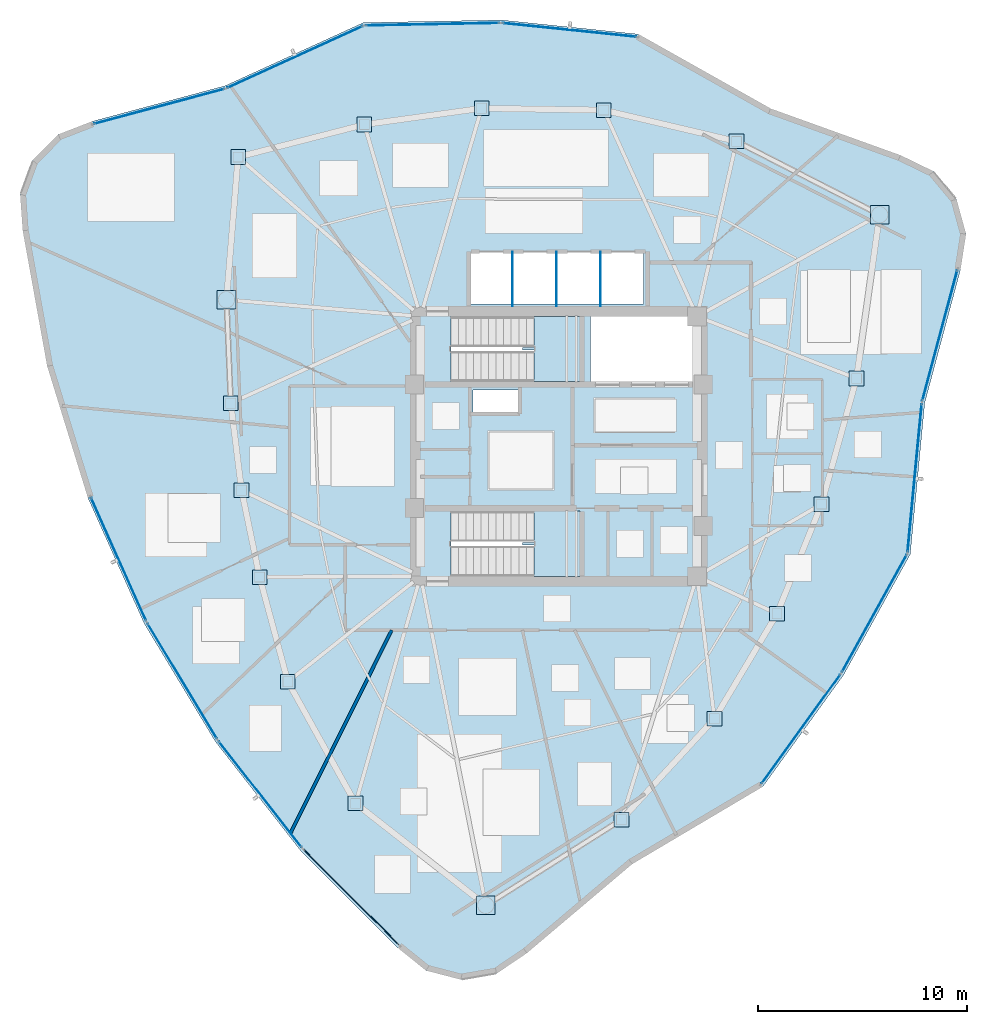
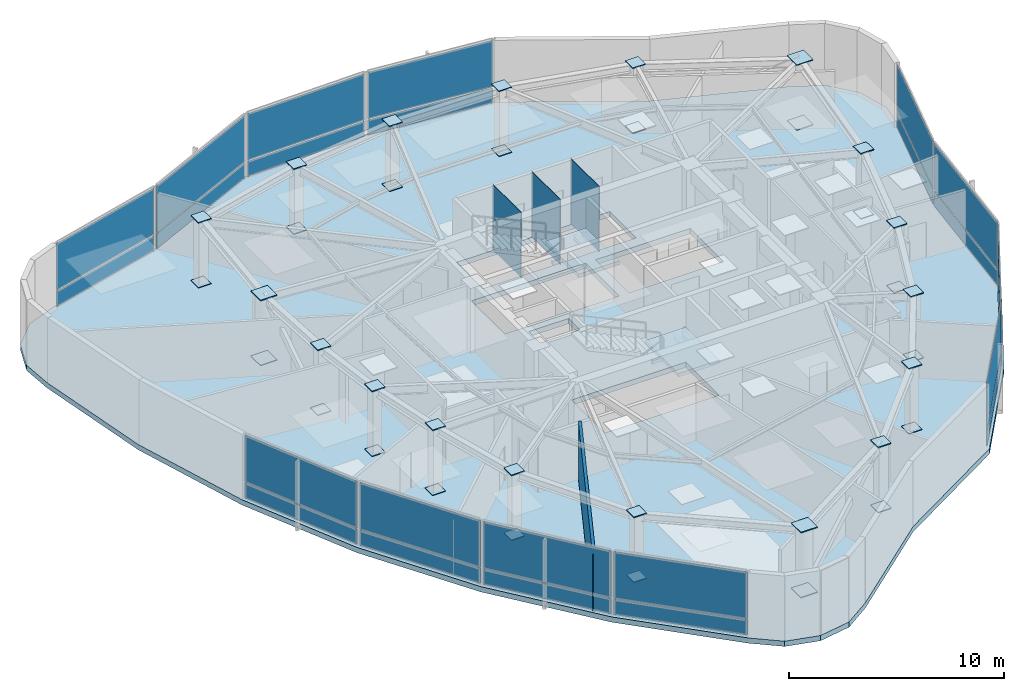
# One storey, part 7 of 12: 63 plates, 3 slabs, 1 wall, 14 elements without a shape of their own.
"""IFC4 building model written with IfcOpenShell, lengths in metres."""

from ifc_helpers import new_model, si_unit, direction, frame, frame_2d, origin, origin_2d, place, context, subcontext, project, spatial, polyline, rectangle, outline, extrude, source, transform, mapped, material, layer, layer_set, type_object, type_shapes, element, aggregate, save


model = new_model("IFC4")

# Units and contexts
model_context = context("Model", 3, precision=1e-05, world=origin(), true_north=direction((0.0, 1.0)))
body_context = subcontext(model_context, "Body", "Model", "MODEL_VIEW")
ifc_project = project(units=[si_unit("LENGTHUNIT", "METRE"), si_unit("AREAUNIT", "SQUARE_METRE"), si_unit("VOLUMEUNIT", "CUBIC_METRE"), si_unit("PLANEANGLEUNIT", "RADIAN"), si_unit("MASSUNIT", "GRAM", prefix="KILO")], contexts=[model_context])

# Site, building, storey
site_placement = place(None, origin())
site = spatial("IfcSite", under=ifc_project, at=site_placement, CompositionType="ELEMENT")
building_placement = place(site_placement, origin())
building = spatial("IfcBuilding", under=site, at=building_placement, Name="Tavelor Broadcast Tower", CompositionType="ELEMENT")
storey_placement = place(building_placement, frame((0.0, 0.0, 285.5)))
storey = spatial("IfcBuildingStorey", under=building, at=storey_placement, Name="L68", CompositionType="ELEMENT", Elevation=285.5)

# Stair, slab
ifc_material_1 = material(Name="Concrete C40/50", Category="concrete")
stair_type = type_object("IfcStairType", Name="Reinforced Concrete Protected Dogleg Stair 1450 mm", PredefinedType="HALF_TURN_STAIR", material=ifc_material_1)
stair_1_placement = place(storey_placement, origin())
stair_1 = element("IfcStair", 1, at=stair_1_placement, inside=storey, type_object=stair_type, Name="L68 Protected Core Exit Stair ST1", PredefinedType="HALF_TURN_STAIR")
ifc_layer_1 = layer(ifc_material_1, 0.199951171875)
ifc_layer_set_1 = layer_set([ifc_layer_1], Name="Concrete C40/50")
slab_type_1 = type_object("IfcSlabType", Name="Reinforced Concrete Stair Half-Landing Slab 200 mm", PredefinedType="LANDING", material=ifc_layer_set_1)
slab_1_placement = place(storey_placement, frame((0.0, 0.0, 1.800048828125)))
slab_1 = element("IfcSlab", 2, at=slab_1_placement, type_object=slab_type_1, Name="ST1 landing 1", PredefinedType="LANDING", context=body_context, shape_type="SweptSolid", body=[
    extrude(outline(polyline([(48.804931640625, 49.590087890625), (48.804931640625, 48.094970703125), (51.0048828125, 48.094970703125), (51.0048828125, 51.205078125), (48.804931640625, 51.205078125), (48.804931640625, 49.7099609375), (48.264892578125, 49.7099609375), (48.264892578125, 49.590087890625), (48.804931640625, 49.590087890625)])), origin(), (0.0, 0.0, 1.0), 0.199951171875),
])
aggregate(stair_1, [slab_1])

stair_2_placement = place(storey_placement, origin())
stair_2 = element("IfcStair", 3, at=stair_2_placement, inside=storey, type_object=stair_type, Name="L68 Protected Core Exit Stair ST2", PredefinedType="HALF_TURN_STAIR")
slab_2_placement = place(storey_placement, frame((0.0, 0.0, 1.800048828125)))
slab_2 = element("IfcSlab", 4, at=slab_2_placement, type_object=slab_type_1, Name="ST2 landing 1", PredefinedType="LANDING", context=body_context, shape_type="SweptSolid", body=[
    extrude(outline(polyline([(48.804931640625, 40.2900390625), (48.804931640625, 38.794921875), (51.0048828125, 38.794921875), (51.0048828125, 41.905029296875), (48.804931640625, 41.905029296875), (48.804931640625, 40.409912109375), (48.264892578125, 40.409912109375), (48.264892578125, 40.2900390625), (48.804931640625, 40.2900390625)])), origin(), (0.0, 0.0, 1.0), 0.199951171875),
])
aggregate(stair_2, [slab_2])

# Slab
ifc_layer_2 = layer(ifc_material_1, 0.300048828125)
ifc_layer_set_2 = layer_set([ifc_layer_2], Name="Concrete C40/50")
slab_type_2 = type_object("IfcSlabType", Name="Tower Composite Floor Slab 300 mm", PredefinedType="FLOOR", material=ifc_layer_set_2)
slab_3_placement = place(storey_placement, frame((0.0, 0.0, -0.300048828125)))
element("IfcSlab", 5, at=slab_3_placement, inside=storey, type_object=slab_type_2, Name="L68 Structural Floor Slab", PredefinedType="FLOOR", context=body_context, shape_type="SweptSolid", body=[
    extrude(outline(polyline([(27.708251953125, 60.51171875), (26.095458984375, 59.8876953125), (24.88232421875, 58.655517578125), (24.283935546875, 57.033203125), (24.406005859375, 55.30810546875), (25.57421875, 48.830810546875), (27.517822265625, 42.542236328125), (30.2080078125, 36.534912109375), (33.60546875, 30.897705078125), (37.659912109375, 25.712646484375), (42.312255859375, 21.056640625), (43.658935546875, 19.971923828125), (45.332763671875, 19.53759765625), (47.037109375, 19.830322265625), (48.4697265625, 20.798583984375), (53.495361328125, 25.049072265625), (59.74267578125, 28.751220703125), (63.60009765625, 34.084716796875), (66.783447265625, 39.845458984375), (67.473388671875, 47.07470703125), (69.179443359375, 53.431640625), (69.445556640625, 55.140380859375), (68.98486328125, 56.80712890625), (67.879150390625, 58.13671875), (66.32421875, 58.893310546875), (60.13037109375, 61.120361328125), (53.800537109375, 64.6796875), (47.253173828125, 65.353271484375), (40.672119140625, 65.229736328125), (34.066650390625, 62.212646484375), (27.708251953125, 60.51171875)]), holes=[polyline([(50.99609375, 41.89599609375), (50.99609375, 38.803955078125), (44.85400390625, 38.803955078125), (44.85400390625, 41.89599609375), (50.99609375, 41.89599609375)]), polyline([(48.050048828125, 47.699951171875), (48.050048828125, 46.64990234375), (45.89990234375, 46.64990234375), (45.89990234375, 47.699951171875), (48.050048828125, 47.699951171875)]), polyline([(50.99609375, 51.196044921875), (50.99609375, 48.10400390625), (44.85400390625, 48.10400390625), (44.85400390625, 51.196044921875), (50.99609375, 51.196044921875)]), polyline([(56.60009765625, 48.10009765625), (51.52001953125, 48.10009765625), (51.52001953125, 51.199951171875), (56.60009765625, 51.199951171875), (56.60009765625, 48.10009765625)]), polyline([(54.050048828125, 51.800048828125), (45.800048828125, 51.800048828125), (45.800048828125, 54.25), (54.050048828125, 54.25), (54.050048828125, 51.800048828125)])]), origin(), (0.0, 0.0, 1.0), 0.300048828125),
])

# Plates
ifc_material_2 = material(Name="Steel S460", Category="steel")
ifc_layer_3 = layer(ifc_material_2, 0.050048828125)
ifc_layer_set_3 = layer_set([ifc_layer_3], Name="Steel S460")
plate_type_1 = type_object("IfcPlateType", Name="Tube Hollow-End Cap Plate KN05 700x700x50", PredefinedType="USERDEFINED", material=ifc_layer_set_3)
shared_shape_1 = source(origin(), body_context, "Body", "SweptSolid", [
    extrude(rectangle(XDim=0.699951171875, YDim=0.699951171875, at=origin_2d()), origin(), (0.0, 0.0, 1.0), 0.054931640625),
])
for number, where, z_axis, x_axis, name in (
    (6, (34.341552734375, 47.061279296875, -0.02734375), (0.0, 0.0, 1.0), (1.0, 0.0, 0.0), "L68 Hollow End Cap Plate KN05 #2031"),
    (7, (34.341552734375, 47.061279296875, 3.67236328125), (0.0, 0.0, 1.0), (1.0, 0.0, 0.0), "L68 Hollow End Cap Plate KN05 #2032"),
    (8, (34.85400390625, 42.90185546875, -0.02734375), (0.0, 0.0, 1.0), (1.0, 0.0, 0.0), "L68 Hollow End Cap Plate KN05 #2033"),
    (9, (34.85400390625, 42.90185546875, 3.67236328125), (0.0, 0.0, 1.0), (1.0, 0.0, 0.0), "L68 Hollow End Cap Plate KN05 #2034"),
    (10, (35.716552734375, 38.757080078125, -0.02734375), (0.0, 0.0, 1.0), (1.0, 0.0, 0.0), "L68 Hollow End Cap Plate KN05 #2035"),
    (11, (35.716552734375, 38.757080078125, 3.67236328125), (0.0, 0.0, 1.0), (1.0, 0.0, 0.0), "L68 Hollow End Cap Plate KN05 #2036"),
    (12, (37.068115234375, 33.759521484375, -0.02734375), (0.0, 0.0, 1.0), (1.0, 0.0, 0.0), "L68 Hollow End Cap Plate KN05 #2037"),
    (13, (37.068115234375, 33.759521484375, 3.67236328125), (0.0, 0.0, 1.0), (1.0, 0.0, 0.0), "L68 Hollow End Cap Plate KN05 #2038"),
    (14, (40.29638671875, 27.95361328125, -0.02734375), (0.0, 0.0, 1.0), (1.0, 0.0, 0.0), "L68 Hollow End Cap Plate KN05 #2039"),
    (15, (40.29638671875, 27.95361328125, 3.67236328125), (0.0, 0.0, 1.0), (1.0, 0.0, 0.0), "L68 Hollow End Cap Plate KN05 #2040"),
    (16, (52.992919921875, 27.1767578125, -0.02734375), (0.0, 0.0, 1.0), (1.0, 0.0, 0.0), "L68 Hollow End Cap Plate KN05 #2043"),
    (17, (52.992919921875, 27.1767578125, 3.67236328125), (0.0, 0.0, 1.0), (1.0, 0.0, 0.0), "L68 Hollow End Cap Plate KN05 #2044"),
    (18, (57.431396484375, 31.9921875, -0.02734375), (0.0, 0.0, 1.0), (1.0, 0.0, 0.0), "L68 Hollow End Cap Plate KN05 #2045"),
    (19, (57.431396484375, 31.9921875, 3.67236328125), (0.0, 0.0, 1.0), (1.0, 0.0, 0.0), "L68 Hollow End Cap Plate KN05 #2046"),
    (20, (60.41748046875, 37.00439453125, -0.02734375), (0.0, 0.0, 1.0), (1.0, 0.0, 0.0), "L68 Hollow End Cap Plate KN05 #2047"),
    (21, (60.41748046875, 37.00439453125, 3.67236328125), (0.0, 0.0, 1.0), (1.0, 0.0, 0.0), "L68 Hollow End Cap Plate KN05 #2048"),
    (22, (62.543701171875, 42.240478515625, -0.02734375), (0.0, 0.0, 1.0), (1.0, 0.0, 0.0), "L68 Hollow End Cap Plate KN05 #2049"),
    (23, (62.543701171875, 42.240478515625, 3.67236328125), (0.0, 0.0, 1.0), (1.0, 0.0, 0.0), "L68 Hollow End Cap Plate KN05 #2050"),
    (24, (64.21435546875, 48.2373046875, -0.02734375), (0.0, 0.0, 1.0), (1.0, 0.0, 0.0), "L68 Hollow End Cap Plate KN05 #2051"),
    (25, (64.21435546875, 48.2373046875, 3.67236328125), (0.0, 0.0, 1.0), (1.0, 0.0, 0.0), "L68 Hollow End Cap Plate KN05 #2052"),
    (26, (58.485595703125, 59.55712890625, -0.02734375), (0.0, 0.0, 1.0), (1.0, 0.0, 0.0), "L68 Hollow End Cap Plate KN05 #2055"),
    (27, (58.485595703125, 59.55712890625, 3.67236328125), (0.0, 0.0, 1.0), (1.0, 0.0, 0.0), "L68 Hollow End Cap Plate KN05 #2056"),
    (28, (52.147216796875, 61.05078125, -0.02734375), (0.0, 0.0, 1.0), (1.0, 0.0, 0.0), "L68 Hollow End Cap Plate KN05 #2057"),
    (29, (52.147216796875, 61.05078125, 3.67236328125), (0.0, 0.0, 1.0), (1.0, 0.0, 0.0), "L68 Hollow End Cap Plate KN05 #2058"),
    (30, (46.3154296875, 61.13720703125, -0.02734375), (0.0, 0.0, 1.0), (1.0, 0.0, 0.0), "L68 Hollow End Cap Plate KN05 #2059"),
    (31, (46.3154296875, 61.13720703125, 3.67236328125), (0.0, 0.0, 1.0), (1.0, 0.0, 0.0), "L68 Hollow End Cap Plate KN05 #2060"),
    (32, (40.718017578125, 60.36083984375, -0.02734375), (0.0, 0.0, 1.0), (1.0, 0.0, 0.0), "L68 Hollow End Cap Plate KN05 #2061"),
    (33, (40.718017578125, 60.36083984375, 3.67236328125), (0.0, 0.0, 1.0), (1.0, 0.0, 0.0), "L68 Hollow End Cap Plate KN05 #2062"),
    (34, (34.689208984375, 58.80908203125, -0.02734375), (0.0, 0.0, 1.0), (1.0, 0.0, 0.0), "L68 Hollow End Cap Plate KN05 #2063"),
    (35, (34.689208984375, 58.80908203125, 3.67236328125), (0.0, 0.0, 1.0), (1.0, 0.0, 0.0), "L68 Hollow End Cap Plate KN05 #2064"),
):
    element("IfcPlate", number, at=place(storey_placement, frame(where, z_axis=z_axis, x_axis=x_axis)), inside=storey, type_object=plate_type_1, Name=name, ObjectType="CAP PLATE", PredefinedType="USERDEFINED", context=body_context, shape_type="MappedRepresentation", body=[
        mapped(shared_shape_1, transform((0.0, 0.0, 0.0), scale=1.0)),
    ])
shared_shape_2 = source(origin(), body_context, "Body", "SweptSolid", [
    extrude(rectangle(XDim=0.89306640625, YDim=0.89306640625, at=origin_2d()), origin(), (0.0, 0.0, 1.0), 0.054931640625),
])
type_shapes(plate_type_1, [shared_shape_1, shared_shape_2])
for number, where, z_axis, x_axis, name in (
    (36, (34.134765625, 51.995849609375, -0.02734375), (0.0, 0.0, 1.0), (1.0, 0.0, 0.0), "L68 Hollow End Cap Plate KN05 #2029"),
    (37, (34.134765625, 51.995849609375, 3.67236328125), (0.0, 0.0, 1.0), (1.0, 0.0, 0.0), "L68 Hollow End Cap Plate KN05 #2030"),
    (38, (46.5146484375, 23.08740234375, -0.02734375), (0.0, 0.0, 1.0), (1.0, 0.0, 0.0), "L68 Hollow End Cap Plate KN05 #2041"),
    (39, (46.5146484375, 23.08740234375, 3.67236328125), (0.0, 0.0, 1.0), (1.0, 0.0, 0.0), "L68 Hollow End Cap Plate KN05 #2042"),
    (40, (65.319580078125, 56.0556640625, -0.02734375), (0.0, 0.0, 1.0), (1.0, 0.0, 0.0), "L68 Hollow End Cap Plate KN05 #2053"),
    (41, (65.319580078125, 56.0556640625, 3.67236328125), (0.0, 0.0, 1.0), (1.0, 0.0, 0.0), "L68 Hollow End Cap Plate KN05 #2054"),
):
    element("IfcPlate", number, at=place(storey_placement, frame(where, z_axis=z_axis, x_axis=x_axis)), inside=storey, type_object=plate_type_1, Name=name, ObjectType="CAP PLATE", PredefinedType="USERDEFINED", context=body_context, shape_type="MappedRepresentation", body=[
        mapped(shared_shape_2, transform((0.0, 0.0, 0.0), scale=1.0)),
    ])
ifc_material_3 = material(Name="Steel S355", Category="steel")
ifc_layer_4 = layer(ifc_material_3, 0.011962890625)
ifc_layer_set_4 = layer_set([ifc_layer_4], Name="Steel S355")
plate_type_2 = type_object("IfcPlateType", Name="Hoistway Steel Separator Screen 12 mm", PredefinedType="SHEET", material=ifc_layer_set_4)
shared_shape_3 = source(origin(), body_context, "Body", "SweptSolid", [
    extrude(rectangle(XDim=0.02001953125, YDim=2.6201171875, at=origin_2d()), origin(), (0.0, 0.0, 1.0), 3.699951171875),
])
type_shapes(plate_type_2, [shared_shape_3])
for number, where, z_axis, x_axis, name in (
    (42, (47.800048828125, 52.989990234375, 0.0), (0.0, 0.0, 1.0), (1.0, 0.0, 0.0), "L68 High-Rise Hoistway Separator Screen 1"),
    (43, (49.89990234375, 52.989990234375, 0.0), (0.0, 0.0, 1.0), (1.0, 0.0, 0.0), "L68 High-Rise Hoistway Separator Screen 2"),
    (44, (52.0, 52.989990234375, 0.0), (0.0, 0.0, 1.0), (1.0, 0.0, 0.0), "L68 High-Rise Hoistway Separator Screen 3"),
):
    element("IfcPlate", number, at=place(storey_placement, frame(where, z_axis=z_axis, x_axis=x_axis)), inside=storey, type_object=plate_type_2, Name=name, PredefinedType="SHEET", context=body_context, shape_type="MappedRepresentation", body=[
        mapped(shared_shape_3, transform((0.0, 0.0, 0.0), scale=1.0)),
    ])

# Curtain wall, plates
ifc_material_4 = material(Name="Architectural Anodized Aluminium", Category="aluminium")
ifc_layer_5 = layer(ifc_material_4, 0.199951171875)
ifc_layer_set_5 = layer_set([ifc_layer_5], Name="Architectural Anodized Aluminium")
curtain_wall_type = type_object("IfcCurtainWallType", Name="Tower High-Zone Triple-Glazed Curtain Wall CW04", PredefinedType="NOTDEFINED", material=ifc_layer_set_5)
curtain_wall_1_placement = place(storey_placement, origin())
curtain_wall_1 = element("IfcCurtainWall", 45, at=curtain_wall_1_placement, inside=storey, type_object=curtain_wall_type, Name="L68 Curtain Wall CW04 Run 745", PredefinedType="NOTDEFINED")
ifc_material_5 = material(Name="High-Altitude Triple Glazing 36 mm", Category="glass")
ifc_layer_6 = layer(ifc_material_5, 0.035888671875)
ifc_layer_set_6 = layer_set([ifc_layer_6], Name="High-Altitude Triple Glazing 36 mm")
plate_type_3 = type_object("IfcPlateType", Name="CW04 Insulated Vision Glazing Panel 36 mm", PredefinedType="CURTAIN_PANEL", material=ifc_layer_set_6)
shared_shape_4 = source(origin(), body_context, "Body", "SweptSolid", [
    extrude(rectangle(XDim=6.41015625, YDim=0.035888671875, at=origin_2d()), origin(), (0.0, 0.0, 1.0), 0.844970703125),
])
plate_1_placement = place(storey_placement, frame((28.987548828125, 39.602783203125, 0.06982421875), z_axis=(0.0, 0.0, 1.0), x_axis=(0.40872623265, -0.912657036758, 0.0)))
plate_1 = element("IfcPlate", 46, at=plate_1_placement, type_object=plate_type_3, Name="CW04 panel 1.1", PredefinedType="CURTAIN_PANEL", context=body_context, shape_type="MappedRepresentation", body=[
    mapped(shared_shape_4, transform((0.0, 0.0, 0.0), scale=1.0)),
])
shared_shape_5 = source(origin(), body_context, "Body", "SweptSolid", [
    extrude(rectangle(XDim=6.41015625, YDim=0.035888671875, at=origin_2d()), origin(), (0.0, 0.0, 1.0), 2.64501953125),
])
plate_2_placement = place(storey_placement, frame((28.987548828125, 39.602783203125, 0.985107421875), z_axis=(0.0, 0.0, 1.0), x_axis=(0.40872623265, -0.912657036758, 0.0)))
plate_2 = element("IfcPlate", 47, at=plate_2_placement, type_object=plate_type_3, Name="CW04 panel 1.2", PredefinedType="CURTAIN_PANEL", context=body_context, shape_type="MappedRepresentation", body=[
    mapped(shared_shape_5, transform((0.0, 0.0, 0.0), scale=1.0)),
])
aggregate(curtain_wall_1, [plate_1, plate_2])

# Curtain wall, plate
curtain_wall_2_placement = place(storey_placement, origin())
curtain_wall_2 = element("IfcCurtainWall", 48, at=curtain_wall_2_placement, inside=storey, type_object=curtain_wall_type, Name="L68 Curtain Wall CW04 Run 746", PredefinedType="NOTDEFINED")
shared_shape_6 = source(origin(), body_context, "Body", "SweptSolid", [
    extrude(rectangle(XDim=6.39501953125, YDim=0.035888671875, at=origin_2d()), origin(), (0.0, 0.0, 1.0), 0.844970703125),
])
plate_3_placement = place(storey_placement, frame((32.026611328125, 33.78857421875, 0.06982421875), z_axis=(0.0, 0.0, 1.0), x_axis=(0.516175764861, -0.8564826792, 0.0)))
plate_3 = element("IfcPlate", 49, at=plate_3_placement, type_object=plate_type_3, Name="CW04 panel 1.1", PredefinedType="CURTAIN_PANEL", context=body_context, shape_type="MappedRepresentation", body=[
    mapped(shared_shape_6, transform((0.0, 0.0, 0.0), scale=1.0)),
])

curtain_wall_3_placement = place(storey_placement, origin())
curtain_wall_3 = element("IfcCurtainWall", 50, at=curtain_wall_3_placement, inside=storey, type_object=curtain_wall_type, Name="L68 Curtain Wall CW04 Run 747", PredefinedType="NOTDEFINED")
plate_4_placement = place(storey_placement, frame((35.742919921875, 28.391357421875, 0.06982421875), z_axis=(0.0, 0.0, 1.0), x_axis=(0.616012790784, -0.78773614973, 0.0)))
plate_4 = element("IfcPlate", 51, at=plate_4_placement, type_object=plate_type_3, Name="CW04 panel 1.1", PredefinedType="CURTAIN_PANEL", context=body_context, shape_type="MappedRepresentation", body=[
    mapped(shared_shape_6, transform((0.0, 0.0, 0.0), scale=1.0)),
])

# Plate
shared_shape_7 = source(origin(), body_context, "Body", "SweptSolid", [
    extrude(rectangle(XDim=6.39501953125, YDim=0.035888671875, at=origin_2d()), origin(), (0.0, 0.0, 1.0), 2.64501953125),
])
plate_5_placement = place(storey_placement, frame((32.026611328125, 33.78857421875, 0.985107421875), z_axis=(0.0, 0.0, 1.0), x_axis=(0.516175764861, -0.8564826792, 0.0)))
plate_5 = element("IfcPlate", 52, at=plate_5_placement, type_object=plate_type_3, Name="CW04 panel 1.2", PredefinedType="CURTAIN_PANEL", context=body_context, shape_type="MappedRepresentation", body=[
    mapped(shared_shape_7, transform((0.0, 0.0, 0.0), scale=1.0)),
])

aggregate(curtain_wall_2, [plate_3, plate_5])

plate_6_placement = place(storey_placement, frame((35.742919921875, 28.391357421875, 0.985107421875), z_axis=(0.0, 0.0, 1.0), x_axis=(0.616012790784, -0.78773614973, 0.0)))
plate_6 = element("IfcPlate", 53, at=plate_6_placement, type_object=plate_type_3, Name="CW04 panel 1.2", PredefinedType="CURTAIN_PANEL", context=body_context, shape_type="MappedRepresentation", body=[
    mapped(shared_shape_7, transform((0.0, 0.0, 0.0), scale=1.0)),
])

aggregate(curtain_wall_3, [plate_4, plate_6])

# Curtain wall, plates
curtain_wall_4_placement = place(storey_placement, origin())
curtain_wall_4 = element("IfcCurtainWall", 54, at=curtain_wall_4_placement, inside=storey, type_object=curtain_wall_type, Name="L68 Curtain Wall CW04 Run 748", PredefinedType="NOTDEFINED")
shared_shape_8 = source(origin(), body_context, "Body", "SweptSolid", [
    extrude(rectangle(XDim=6.410888671875, YDim=0.035888671875, at=origin_2d()), origin(), (0.0, 0.0, 1.0), 0.844970703125),
])
plate_7_placement = place(storey_placement, frame((40.0908203125, 23.47802734375, 0.06982421875), z_axis=(0.0, 0.0, 1.0), x_axis=(0.706824324784, -0.707389124806, 0.0)))
plate_7 = element("IfcPlate", 55, at=plate_7_placement, type_object=plate_type_3, Name="CW04 panel 1.1", PredefinedType="CURTAIN_PANEL", context=body_context, shape_type="MappedRepresentation", body=[
    mapped(shared_shape_8, transform((0.0, 0.0, 0.0), scale=1.0)),
])
shared_shape_9 = source(origin(), body_context, "Body", "SweptSolid", [
    extrude(rectangle(XDim=6.410888671875, YDim=0.035888671875, at=origin_2d()), origin(), (0.0, 0.0, 1.0), 2.64501953125),
])
plate_8_placement = place(storey_placement, frame((40.0908203125, 23.47802734375, 0.985107421875), z_axis=(0.0, 0.0, 1.0), x_axis=(0.706824324784, -0.707389124806, 0.0)))
plate_8 = element("IfcPlate", 56, at=plate_8_placement, type_object=plate_type_3, Name="CW04 panel 1.2", PredefinedType="CURTAIN_PANEL", context=body_context, shape_type="MappedRepresentation", body=[
    mapped(shared_shape_9, transform((0.0, 0.0, 0.0), scale=1.0)),
])
aggregate(curtain_wall_4, [plate_7, plate_8])

# Curtain wall, plate
curtain_wall_5_placement = place(storey_placement, origin())
curtain_wall_5 = element("IfcCurtainWall", 57, at=curtain_wall_5_placement, inside=storey, type_object=curtain_wall_type, Name="L68 Curtain Wall CW04 Run 749", PredefinedType="NOTDEFINED")
shared_shape_10 = source(origin(), body_context, "Body", "SweptSolid", [
    extrude(rectangle(XDim=6.389404296875, YDim=0.035888671875, at=origin_2d()), origin(), (0.0, 0.0, 1.0), 0.844970703125),
])
plate_9_placement = place(storey_placement, frame((61.5595703125, 31.502197265625, 0.06982421875), z_axis=(0.0, 0.0, 1.0), x_axis=(0.586030582447, 0.810288933923, 0.0)))
plate_9 = element("IfcPlate", 58, at=plate_9_placement, type_object=plate_type_3, Name="CW04 panel 1.1", PredefinedType="CURTAIN_PANEL", context=body_context, shape_type="MappedRepresentation", body=[
    mapped(shared_shape_10, transform((0.0, 0.0, 0.0), scale=1.0)),
])

curtain_wall_6_placement = place(storey_placement, origin())
curtain_wall_6 = element("IfcCurtainWall", 59, at=curtain_wall_6_placement, inside=storey, type_object=curtain_wall_type, Name="L68 Curtain Wall CW04 Run 753", PredefinedType="NOTDEFINED")
plate_10_placement = place(storey_placement, frame((50.509765625, 64.87744140625, 0.06982421875), z_axis=(0.0, 0.0, 1.0), x_axis=(-0.994748184384, 0.102352575269, 0.0)))
plate_10 = element("IfcPlate", 60, at=plate_10_placement, type_object=plate_type_3, Name="CW04 panel 1.1", PredefinedType="CURTAIN_PANEL", context=body_context, shape_type="MappedRepresentation", body=[
    mapped(shared_shape_10, transform((0.0, 0.0, 0.0), scale=1.0)),
])

# Plate
shared_shape_11 = source(origin(), body_context, "Body", "SweptSolid", [
    extrude(rectangle(XDim=6.389404296875, YDim=0.035888671875, at=origin_2d()), origin(), (0.0, 0.0, 1.0), 2.64501953125),
])
plate_11_placement = place(storey_placement, frame((61.5595703125, 31.502197265625, 0.985107421875), z_axis=(0.0, 0.0, 1.0), x_axis=(0.586030582447, 0.810288933923, 0.0)))
plate_11 = element("IfcPlate", 61, at=plate_11_placement, type_object=plate_type_3, Name="CW04 panel 1.2", PredefinedType="CURTAIN_PANEL", context=body_context, shape_type="MappedRepresentation", body=[
    mapped(shared_shape_11, transform((0.0, 0.0, 0.0), scale=1.0)),
])

aggregate(curtain_wall_5, [plate_9, plate_11])

plate_12_placement = place(storey_placement, frame((50.509765625, 64.87744140625, 0.985107421875), z_axis=(0.0, 0.0, 1.0), x_axis=(-0.994748184384, 0.102352575269, 0.0)))
plate_12 = element("IfcPlate", 62, at=plate_12_placement, type_object=plate_type_3, Name="CW04 panel 1.2", PredefinedType="CURTAIN_PANEL", context=body_context, shape_type="MappedRepresentation", body=[
    mapped(shared_shape_11, transform((0.0, 0.0, 0.0), scale=1.0)),
])

aggregate(curtain_wall_6, [plate_10, plate_12])

# Curtain wall, plates
curtain_wall_7_placement = place(storey_placement, origin())
curtain_wall_7 = element("IfcCurtainWall", 63, at=curtain_wall_7_placement, inside=storey, type_object=curtain_wall_type, Name="L68 Curtain Wall CW04 Run 750", PredefinedType="NOTDEFINED")
shared_shape_12 = source(origin(), body_context, "Body", "SweptSolid", [
    extrude(rectangle(XDim=6.374267578125, YDim=0.035888671875, at=origin_2d()), origin(), (0.0, 0.0, 1.0), 0.844970703125),
])
plate_13_placement = place(storey_placement, frame((65.064208984375, 37.023681640625, 0.06982421875), z_axis=(0.0, 0.0, 1.0), x_axis=(0.483657950642, 0.875257097532, 0.0)))
plate_13 = element("IfcPlate", 64, at=plate_13_placement, type_object=plate_type_3, Name="CW04 panel 1.1", PredefinedType="CURTAIN_PANEL", context=body_context, shape_type="MappedRepresentation", body=[
    mapped(shared_shape_12, transform((0.0, 0.0, 0.0), scale=1.0)),
])
shared_shape_13 = source(origin(), body_context, "Body", "SweptSolid", [
    extrude(rectangle(XDim=6.374267578125, YDim=0.035888671875, at=origin_2d()), origin(), (0.0, 0.0, 1.0), 2.64501953125),
])
plate_14_placement = place(storey_placement, frame((65.064208984375, 37.023681640625, 0.985107421875), z_axis=(0.0, 0.0, 1.0), x_axis=(0.483657950642, 0.875257097532, 0.0)))
plate_14 = element("IfcPlate", 65, at=plate_14_placement, type_object=plate_type_3, Name="CW04 panel 1.2", PredefinedType="CURTAIN_PANEL", context=body_context, shape_type="MappedRepresentation", body=[
    mapped(shared_shape_13, transform((0.0, 0.0, 0.0), scale=1.0)),
])
aggregate(curtain_wall_7, [plate_13, plate_14])

curtain_wall_8_placement = place(storey_placement, origin())
curtain_wall_8 = element("IfcCurtainWall", 66, at=curtain_wall_8_placement, inside=storey, type_object=curtain_wall_type, Name="L68 Curtain Wall CW04 Run 751", PredefinedType="NOTDEFINED")
shared_shape_14 = source(origin(), body_context, "Body", "SweptSolid", [
    extrude(rectangle(XDim=7.074462890625, YDim=0.035888671875, at=origin_2d()), origin(), (0.0, 0.0, 1.0), 0.844970703125),
])
plate_15_placement = place(storey_placement, frame((66.990966796875, 43.49365234375, 0.06982421875), z_axis=(0.0, 0.0, 1.0), x_axis=(0.09500270756, 0.995477014077, 0.0)))
plate_15 = element("IfcPlate", 67, at=plate_15_placement, type_object=plate_type_3, Name="CW04 panel 1.1", PredefinedType="CURTAIN_PANEL", context=body_context, shape_type="MappedRepresentation", body=[
    mapped(shared_shape_14, transform((0.0, 0.0, 0.0), scale=1.0)),
])
shared_shape_15 = source(origin(), body_context, "Body", "SweptSolid", [
    extrude(rectangle(XDim=7.074462890625, YDim=0.035888671875, at=origin_2d()), origin(), (0.0, 0.0, 1.0), 2.64501953125),
])
plate_16_placement = place(storey_placement, frame((66.990966796875, 43.49365234375, 0.985107421875), z_axis=(0.0, 0.0, 1.0), x_axis=(0.09500270756, 0.995477014077, 0.0)))
plate_16 = element("IfcPlate", 68, at=plate_16_placement, type_object=plate_type_3, Name="CW04 panel 1.2", PredefinedType="CURTAIN_PANEL", context=body_context, shape_type="MappedRepresentation", body=[
    mapped(shared_shape_15, transform((0.0, 0.0, 0.0), scale=1.0)),
])
aggregate(curtain_wall_8, [plate_15, plate_16])

# Curtain wall, plate
curtain_wall_9_placement = place(storey_placement, origin())
curtain_wall_9 = element("IfcCurtainWall", 69, at=curtain_wall_9_placement, inside=storey, type_object=curtain_wall_type, Name="L68 Curtain Wall CW04 Run 752", PredefinedType="NOTDEFINED")
shared_shape_16 = source(origin(), body_context, "Body", "SweptSolid", [
    extrude(rectangle(XDim=6.43115234375, YDim=0.035888671875, at=origin_2d()), origin(), (0.0, 0.0, 1.0), 0.844970703125),
])
plate_17_placement = place(storey_placement, frame((68.1904296875, 50.287353515625, 0.06982421875), z_axis=(0.0, 0.0, 1.0), x_axis=(0.259207163097, 0.965821746804, 0.0)))
plate_17 = element("IfcPlate", 70, at=plate_17_placement, type_object=plate_type_3, Name="CW04 panel 1.1", PredefinedType="CURTAIN_PANEL", context=body_context, shape_type="MappedRepresentation", body=[
    mapped(shared_shape_16, transform((0.0, 0.0, 0.0), scale=1.0)),
])

curtain_wall_10_placement = place(storey_placement, origin())
curtain_wall_10 = element("IfcCurtainWall", 71, at=curtain_wall_10_placement, inside=storey, type_object=curtain_wall_type, Name="L68 Curtain Wall CW04 Run 756", PredefinedType="NOTDEFINED")
plate_18_placement = place(storey_placement, frame((30.92578125, 61.2275390625, 0.06982421875), z_axis=(0.0, 0.0, 1.0), x_axis=(-0.966029029933, -0.258433576236, 0.0)))
plate_18 = element("IfcPlate", 72, at=plate_18_placement, type_object=plate_type_3, Name="CW04 panel 1.1", PredefinedType="CURTAIN_PANEL", context=body_context, shape_type="MappedRepresentation", body=[
    mapped(shared_shape_16, transform((0.0, 0.0, 0.0), scale=1.0)),
])

# Plate
shared_shape_17 = source(origin(), body_context, "Body", "SweptSolid", [
    extrude(rectangle(XDim=6.43115234375, YDim=0.035888671875, at=origin_2d()), origin(), (0.0, 0.0, 1.0), 2.64501953125),
])
plate_19_placement = place(storey_placement, frame((68.1904296875, 50.287353515625, 0.985107421875), z_axis=(0.0, 0.0, 1.0), x_axis=(0.259207163097, 0.965821746804, 0.0)))
plate_19 = element("IfcPlate", 73, at=plate_19_placement, type_object=plate_type_3, Name="CW04 panel 1.2", PredefinedType="CURTAIN_PANEL", context=body_context, shape_type="MappedRepresentation", body=[
    mapped(shared_shape_17, transform((0.0, 0.0, 0.0), scale=1.0)),
])

aggregate(curtain_wall_9, [plate_17, plate_19])

plate_20_placement = place(storey_placement, frame((30.92578125, 61.2275390625, 0.985107421875), z_axis=(0.0, 0.0, 1.0), x_axis=(-0.966029029933, -0.258433576236, 0.0)))
plate_20 = element("IfcPlate", 74, at=plate_20_placement, type_object=plate_type_3, Name="CW04 panel 1.2", PredefinedType="CURTAIN_PANEL", context=body_context, shape_type="MappedRepresentation", body=[
    mapped(shared_shape_17, transform((0.0, 0.0, 0.0), scale=1.0)),
])

aggregate(curtain_wall_10, [plate_18, plate_20])

# Curtain wall, plates
curtain_wall_11_placement = place(storey_placement, origin())
curtain_wall_11 = element("IfcCurtainWall", 75, at=curtain_wall_11_placement, inside=storey, type_object=curtain_wall_type, Name="L68 Curtain Wall CW04 Run 754", PredefinedType="NOTDEFINED")
shared_shape_18 = source(origin(), body_context, "Body", "SweptSolid", [
    extrude(rectangle(XDim=6.37451171875, YDim=0.035888671875, at=origin_2d()), origin(), (0.0, 0.0, 1.0), 0.844970703125),
])
plate_21_placement = place(storey_placement, frame((43.9755859375, 65.15185546875, 0.06982421875), z_axis=(0.0, 0.0, 1.0), x_axis=(-0.999824047429, -0.018758309711, 0.0)))
plate_21 = element("IfcPlate", 76, at=plate_21_placement, type_object=plate_type_3, Name="CW04 panel 1.1", PredefinedType="CURTAIN_PANEL", context=body_context, shape_type="MappedRepresentation", body=[
    mapped(shared_shape_18, transform((0.0, 0.0, 0.0), scale=1.0)),
])
shared_shape_19 = source(origin(), body_context, "Body", "SweptSolid", [
    extrude(rectangle(XDim=6.37451171875, YDim=0.035888671875, at=origin_2d()), origin(), (0.0, 0.0, 1.0), 2.64501953125),
])
plate_22_placement = place(storey_placement, frame((43.9755859375, 65.15185546875, 0.985107421875), z_axis=(0.0, 0.0, 1.0), x_axis=(-0.999824047429, -0.018758309711, 0.0)))
plate_22 = element("IfcPlate", 77, at=plate_22_placement, type_object=plate_type_3, Name="CW04 panel 1.2", PredefinedType="CURTAIN_PANEL", context=body_context, shape_type="MappedRepresentation", body=[
    mapped(shared_shape_19, transform((0.0, 0.0, 0.0), scale=1.0)),
])
aggregate(curtain_wall_11, [plate_21, plate_22])

curtain_wall_12_placement = place(storey_placement, origin())
curtain_wall_12 = element("IfcCurtainWall", 78, at=curtain_wall_12_placement, inside=storey, type_object=curtain_wall_type, Name="L68 Curtain Wall CW04 Run 755", PredefinedType="NOTDEFINED")
shared_shape_20 = source(origin(), body_context, "Body", "SweptSolid", [
    extrude(rectangle(XDim=7.07470703125, YDim=0.035888671875, at=origin_2d()), origin(), (0.0, 0.0, 1.0), 0.844970703125),
])
plate_23_placement = place(storey_placement, frame((37.408935546875, 63.58544921875, 0.06982421875), z_axis=(0.0, 0.0, 1.0), x_axis=(-0.909610694324, -0.415461652589, 0.0)))
plate_23 = element("IfcPlate", 79, at=plate_23_placement, type_object=plate_type_3, Name="CW04 panel 1.1", PredefinedType="CURTAIN_PANEL", context=body_context, shape_type="MappedRepresentation", body=[
    mapped(shared_shape_20, transform((0.0, 0.0, 0.0), scale=1.0)),
])
shared_shape_21 = source(origin(), body_context, "Body", "SweptSolid", [
    extrude(rectangle(XDim=7.07470703125, YDim=0.035888671875, at=origin_2d()), origin(), (0.0, 0.0, 1.0), 2.64501953125),
])
type_shapes(plate_type_3, [shared_shape_4, shared_shape_5, shared_shape_6, shared_shape_7, shared_shape_8, shared_shape_9, shared_shape_10, shared_shape_11, shared_shape_12, shared_shape_13, shared_shape_14, shared_shape_15, shared_shape_16, shared_shape_17, shared_shape_18, shared_shape_19, shared_shape_20, shared_shape_21])
plate_24_placement = place(storey_placement, frame((37.408935546875, 63.58544921875, 0.985107421875), z_axis=(0.0, 0.0, 1.0), x_axis=(-0.909610694324, -0.415461652589, 0.0)))
plate_24 = element("IfcPlate", 80, at=plate_24_placement, type_object=plate_type_3, Name="CW04 panel 1.2", PredefinedType="CURTAIN_PANEL", context=body_context, shape_type="MappedRepresentation", body=[
    mapped(shared_shape_21, transform((0.0, 0.0, 0.0), scale=1.0)),
])
aggregate(curtain_wall_12, [plate_23, plate_24])

# Wall
ifc_material_6 = material(Name="Gypsum Acoustic Plasterboard 150 mm", Category="gypsum")
ifc_layer_7 = layer(ifc_material_6, 0.14990234375)
ifc_layer_set_7 = layer_set([ifc_layer_7], Name="Gypsum Acoustic Plasterboard 150 mm")
wall_type = type_object("IfcWallType", Name="Interior Acoustic Partition Wall 150 mm", PredefinedType="PARTITIONING", material=ifc_layer_set_7)
wall_placement = place(storey_placement, frame((42.023193359375, 36.219970703125, 0.0), z_axis=(0.0, 0.0, 1.0), x_axis=(-0.446122520894, -0.894971896962, 0.0)))
element("IfcWall", 81, at=wall_placement, inside=storey, type_object=wall_type, Name="L68 Radial Compartment Wall 04", PredefinedType="PARTITIONING", context=body_context, shape_type="SweptSolid", body=[
    extrude(rectangle(XDim=10.833251953125, YDim=0.14990234375, at=frame_2d((5.41650390625, 0.0))), origin(), (0.0, 0.0, 1.0), 3.235107421875),
])

save(model, "model.ifc")
